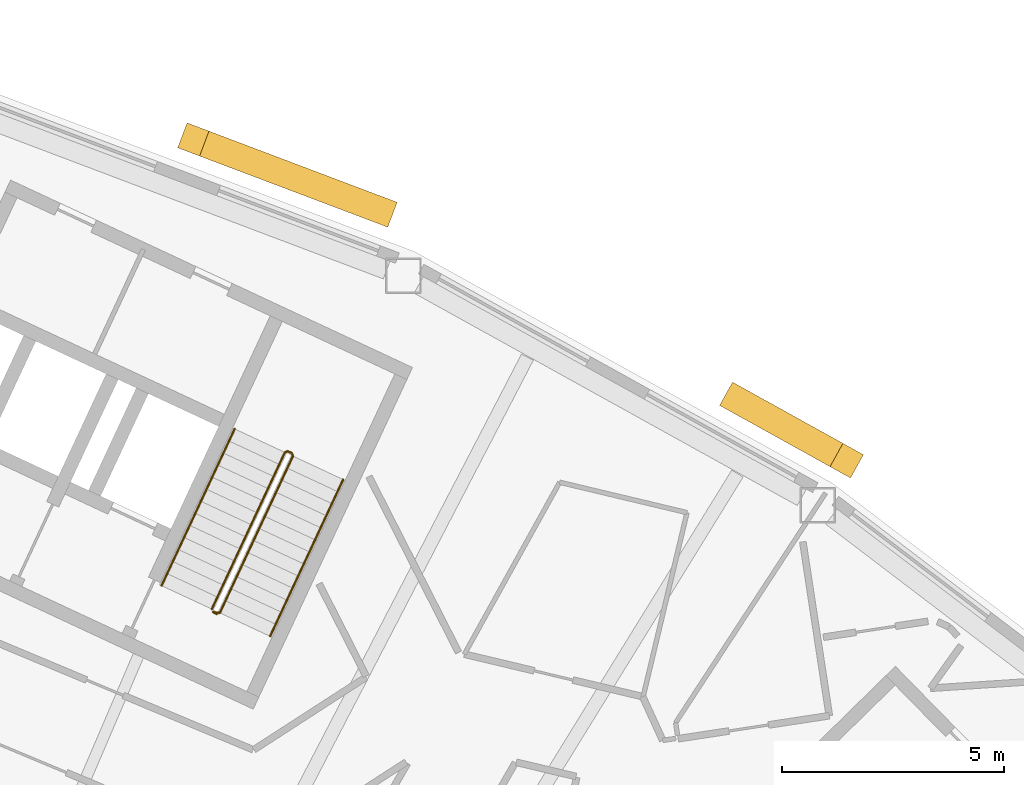
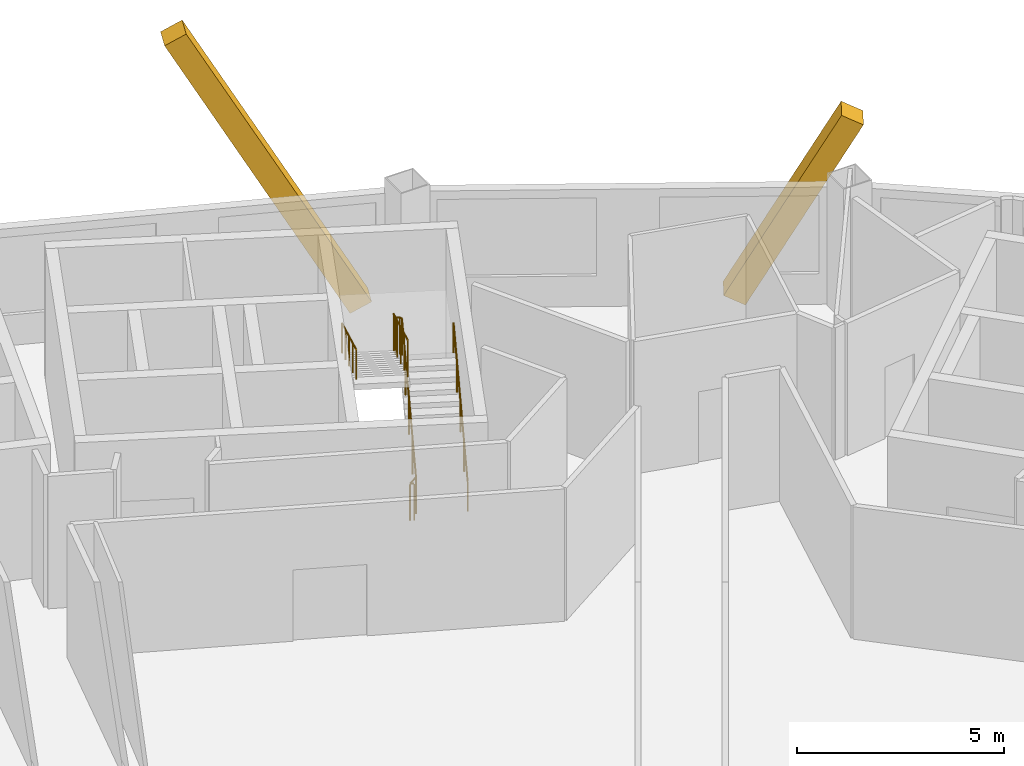
# One storey, part 13 of 13: 3 railings, 2 coverings.
"""IFC4 building model written with IfcOpenShell, lengths in metres."""

import ifcopenshell
import ifcopenshell.guid

model = None  # the IFC model being written
_history = None  # IfcOwnerHistory: only IFC2X3 demands one
_inside = {}  # id of a spatial element -> (the spatial element, [elements in it])
_under = {}  # id of a project, library or spatial element -> (it, [spatial elements below it])
_declared = {}  # id of a project -> (the project, [libraries it declares])
_typed = {}  # id of a type object -> (the type object, [elements of that type])
_made_of = {}  # id of a material, layer set ... -> (it, [elements and type objects made of it])


def new_model(schema):
    """Start an empty IFC model of exactly this schema.

    Asked for "IFC4X3", IfcOpenShell would pick the latest addendum, in which some entities
    have other attributes; the version numbers below select the first issue.
    IFC2X3 requires an IfcOwnerHistory on every rooted entity: one is made here for all.
    """
    global model, _history
    if schema == "IFC4X3":
        model = ifcopenshell.file(schema_version=(4, 3, 0, 0))
    else:
        model = ifcopenshell.file(schema=schema)
    _inside.clear()
    _under.clear()
    _declared.clear()
    _typed.clear()
    _made_of.clear()
    _history = None
    if model.schema == "IFC2X3":
        org = make("IfcOrganization", Name="unknown")
        user = make(
            "IfcPersonAndOrganization",
            ThePerson=make("IfcPerson", FamilyName="unknown"),
            TheOrganization=org,
        )
        app = make(
            "IfcApplication",
            ApplicationDeveloper=org,
            Version="unknown",
            ApplicationFullName="unknown",
            ApplicationIdentifier="unknown",
        )
        _history = make(
            "IfcOwnerHistory",
            OwningUser=user,
            OwningApplication=app,
            ChangeAction="ADDED",
            CreationDate=0,
        )
    return model


def make(cls, **values):
    """One entity of the class cls with the attributes given. An attribute that is None is left unset."""
    return model.create_entity(
        cls, **{name: value for name, value in values.items() if value is not None}
    )


def rooted(cls, **values):
    """An entity with a GlobalId (a new one), such as an element, a storey or a relation."""
    return make(cls, GlobalId=ifcopenshell.guid.new(), OwnerHistory=_history, **values)


def si_unit(unit_type, name, prefix=None):
    """IfcSIUnit, for example si_unit("LENGTHUNIT", "METRE", prefix="MILLI")."""
    return make("IfcSIUnit", UnitType=unit_type, Prefix=prefix, Name=name)


def assignment(units):
    """IfcUnitAssignment: the units of a project."""
    return None if units is None else make("IfcUnitAssignment", Units=units)


def point(xyz):
    """IfcCartesianPoint."""
    return None if xyz is None else make("IfcCartesianPoint", Coordinates=xyz)


def direction(xyz):
    """IfcDirection."""
    return None if xyz is None else make("IfcDirection", DirectionRatios=xyz)


def frame(location, z_axis=None, x_axis=None):
    """IfcAxis2Placement3D, a coordinate frame: its origin and axes. An axis left out is left unset."""
    return make(
        "IfcAxis2Placement3D",
        Location=point(location),
        Axis=direction(z_axis),
        RefDirection=direction(x_axis),
    )


def frame_2d(location, x_axis=None):
    """IfcAxis2Placement2D, a coordinate frame in the plane: its origin and x axis."""
    return make(
        "IfcAxis2Placement2D", Location=point(location), RefDirection=direction(x_axis)
    )


def origin():
    """The frame at (0, 0, 0) with its axes left unset."""
    return frame((0.0, 0.0, 0.0))


def origin_2d():
    """The frame at (0, 0) in the plane with its x axis left unset."""
    return frame_2d((0.0, 0.0))


def place(relative_to, where):
    """IfcLocalPlacement: puts the frame where relative to a parent placement (None: the world)."""
    return make(
        "IfcLocalPlacement", PlacementRelTo=relative_to, RelativePlacement=where
    )


def context(
    kind, dimensions, precision=None, world=None, true_north=None, identifier=None
):
    """IfcGeometricRepresentationContext, for example the 3D "Model" context."""
    return make(
        "IfcGeometricRepresentationContext",
        ContextIdentifier=identifier,
        ContextType=kind,
        CoordinateSpaceDimension=dimensions,
        Precision=precision,
        WorldCoordinateSystem=world,
        TrueNorth=true_north,
    )


def subcontext(parent, identifier, kind, view, scale=None):
    """IfcGeometricRepresentationSubContext, for example "Body" below "Model"."""
    return make(
        "IfcGeometricRepresentationSubContext",
        ContextIdentifier=identifier,
        ContextType=kind,
        ParentContext=parent,
        TargetScale=scale,
        TargetView=view,
    )


def project(units=None, contexts=None):
    """IfcProject with its units and contexts."""
    return rooted(
        "IfcProject",
        Name="project",
        RepresentationContexts=contexts,
        UnitsInContext=assignment(units),
    )


def spatial(cls, under=None, at=None, **own):
    """A site, building, storey or space (cls), placed at a placement, below another one or the project."""
    s = rooted(cls, ObjectPlacement=at, **own)
    if under is not None:
        _under.setdefault(under.id(), (under, []))[1].append(s)
    return s


def profile(cls, at=None, kind="AREA", **sizes):
    """A parametric profile (cls). Its sizes go by their IFC names, for example OverallWidth=200.0."""
    return make(cls, ProfileType=kind, Position=at, **sizes)


def rectangle(**sizes):
    """IfcRectangleProfileDef."""
    return profile("IfcRectangleProfileDef", **sizes)


def circle(**sizes):
    """IfcCircleProfileDef."""
    return profile("IfcCircleProfileDef", **sizes)


def extrude(swept, where, along, depth):
    """IfcExtrudedAreaSolid: the profile swept, set in the frame where, extruded along a direction by depth."""
    return make(
        "IfcExtrudedAreaSolid",
        SweptArea=swept,
        Position=where,
        ExtrudedDirection=direction(along),
        Depth=depth,
    )


def shape(context_of_items, identifier, shape_type, items):
    """IfcShapeRepresentation: the items that make up one representation, for example the "Body"."""
    return make(
        "IfcShapeRepresentation",
        ContextOfItems=context_of_items,
        RepresentationIdentifier=identifier,
        RepresentationType=shape_type,
        Items=items,
    )


def material(Name=None, Category=None):
    """IfcMaterial."""
    return make("IfcMaterial", Name=Name, Category=Category)


def material_profile(
    of_material, cross_section, Name=None, Category=None, Priority=None
):
    """IfcMaterialProfile: a cross section and its material."""
    return make(
        "IfcMaterialProfile",
        Name=Name,
        Material=of_material,
        Profile=cross_section,
        Priority=Priority,
        Category=Category,
    )


def profile_set(profiles, Name=None, composite=None):
    """IfcMaterialProfileSet."""
    return make(
        "IfcMaterialProfileSet",
        Name=Name,
        MaterialProfiles=profiles,
        CompositeProfile=composite,
    )


def made_of(thing, what):
    """Note that an element or type object is made of a material, layer set ...; save() writes the relation."""
    if what is not None:
        _made_of.setdefault(what.id(), (what, []))[1].append(thing)
    return thing


def type_object(cls, material=None, **own):
    """A type object (cls), such as IfcWallType, which elements share."""
    return made_of(rooted(cls, **own), material)


def element(
    cls,
    number,
    at=None,
    inside=None,
    cuts=None,
    type_object=None,
    material=None,
    context=None,
    identifier="Body",
    shape_type=None,
    held_by="IfcProductDefinitionShape",
    body=None,
    shapes=None,
    **own,
):
    """One element of the class cls, such as IfcWall. Its Tag is "e" and its number.

    at: its placement. inside: the storey or other place that contains it. cuts: it is an
    opening in that element (IfcRelVoidsElement). A single representation is given by context,
    identifier, shape_type and body (its items); several are given by shapes. held_by: the class
    of the entity that holds the representations. save() writes the other relations.
    """
    e = rooted(cls, Tag="e%d" % number, ObjectPlacement=at, **own)
    if body is not None:
        shapes = [shape(context, identifier, shape_type, body)]
    if shapes is not None:
        e.Representation = make(held_by, Representations=shapes)
    if inside is not None:
        _inside.setdefault(inside.id(), (inside, []))[1].append(e)
    if cuts is not None:
        rooted(
            "IfcRelVoidsElement", RelatingBuildingElement=cuts, RelatedOpeningElement=e
        )
    if type_object is not None:
        _typed.setdefault(type_object.id(), (type_object, []))[1].append(e)
    return made_of(e, material)


def aggregate(whole, parts):
    """IfcRelAggregates: a whole, such as a stair, and the parts it consists of."""
    return rooted("IfcRelAggregates", RelatingObject=whole, RelatedObjects=parts)


def save(model, path):
    """Write the relations noted so far, then the file.

    IfcRelAggregates (storeys below a building ...), IfcRelContainedInSpatialStructure (elements
    in a storey), IfcRelDefinesByType, IfcRelAssociatesMaterial and IfcRelDeclares: one each for
    every whole, place, type object, material and project.
    """
    for whole, parts in _under.values():
        aggregate(whole, parts)
    for where, things in _inside.values():
        rooted(
            "IfcRelContainedInSpatialStructure",
            RelatedElements=things,
            RelatingStructure=where,
        )
    for kind, things in _typed.values():
        rooted("IfcRelDefinesByType", RelatedObjects=things, RelatingType=kind)
    for what, things in _made_of.values():
        rooted("IfcRelAssociatesMaterial", RelatedObjects=things, RelatingMaterial=what)
    for by, libraries in _declared.values():
        rooted("IfcRelDeclares", RelatingContext=by, RelatedDefinitions=libraries)
    model.write(path)


model = new_model("IFC4")

# Units and contexts
model_context = context("Model", 3, precision=1e-05, world=origin(), true_north=direction((0.0, 1.0)))
body_context = subcontext(model_context, "Body", "Model", "MODEL_VIEW")
ifc_project = project(units=[si_unit("LENGTHUNIT", "METRE"), si_unit("AREAUNIT", "SQUARE_METRE"), si_unit("VOLUMEUNIT", "CUBIC_METRE"), si_unit("PLANEANGLEUNIT", "RADIAN"), si_unit("MASSUNIT", "GRAM", prefix="KILO")], contexts=[model_context])

# Site, building, storey
site_placement = place(None, origin())
site = spatial("IfcSite", under=ifc_project, at=site_placement, CompositionType="ELEMENT")
building_placement = place(site_placement, origin())
building = spatial("IfcBuilding", under=site, at=building_placement, Name="Tuul Gate Civic Tower", CompositionType="ELEMENT")
storey_placement = place(building_placement, frame((0.0, 0.0, 302.60009765625)))
storey = spatial("IfcBuildingStorey", under=building, at=storey_placement, Name="Level 68", CompositionType="ELEMENT", Elevation=302.60009765625)

# Railings
ifc_material_1 = material(Name="Painted steel", Category="steel")
railing_type_1 = type_object("IfcRailingType", Name="Stair guard", PredefinedType="GUARDRAIL", material=ifc_material_1)
railing_1_placement = place(storey_placement, frame((33.645751953125, -5.238525390625, 0.0)))
element("IfcRailing", 1, at=railing_1_placement, inside=storey, type_object=railing_type_1, Name="Level 68 ST-4 stair guard 1", PredefinedType="GUARDRAIL", context=body_context, shape_type="SweptSolid", body=[
    extrude(circle(Radius=0.02392578125, at=origin_2d()), frame((0.0, 0.0, 1.076171875), z_axis=(-0.906307919131, 0.422617978463, 0.0), x_axis=(-0.422617978463, -0.906307919131, 0.0)), (0.0, 0.0, 1.0), 0.099853515625),
    extrude(circle(Radius=0.02392578125, at=origin_2d()), frame((-0.090576171875, 0.042236328125, 1.076171875), z_axis=(0.720735628292, -0.082946246491, 0.688229666829), x_axis=(0.114330889033, 0.993442724979, 0.0)), (0.0, 0.0, 1.0), 0.2177734375),
    extrude(circle(Radius=0.02392578125, at=origin_2d()), frame((0.06640625, 0.024169921875, 1.22607421875), z_axis=(0.377946903738, 0.810654114417, 0.447209173356), x_axis=(-0.906336612539, 0.422556439746, 0.0)), (0.0, 0.0, 1.0), 4.3603515625),
    extrude(circle(Radius=0.02392578125, at=origin_2d()), frame((1.71435546875, 3.558837890625, 3.17578125), z_axis=(-0.342020437038, 0.939692513883, 0.0), x_axis=(-0.939692513883, -0.342020437038, 0.0)), (0.0, 0.0, 1.0), 0.070556640625),
    extrude(circle(Radius=0.02392578125, at=origin_2d()), frame((1.690185546875, 3.625244140625, 3.17578125), z_axis=(-0.906307919131, 0.422617978463, 0.0), x_axis=(-0.422617978463, -0.906307919131, 0.0)), (0.0, 0.0, 1.0), 0.099853515625),
    extrude(circle(Radius=0.02392578125, at=origin_2d()), frame((1.599609375, 3.66748046875, 3.17578125), z_axis=(-0.400168791901, -0.145649670582, 0.904793408159), x_axis=(0.342020437038, -0.939692513883, 0.0)), (0.0, 0.0, 1.0), 0.166015625),
    extrude(circle(Radius=0.02392578125, at=origin_2d()), frame((1.533203125, 3.643310546875, 3.326171875), z_axis=(-0.377946903738, -0.810654114417, 0.447209173356), x_axis=(0.906336612539, -0.422556439746, 0.0)), (0.0, 0.0, 1.0), 4.3603515625),
    extrude(circle(Radius=0.02099609375, at=origin_2d()), origin(), (0.0, 0.0, 1.0), 1.052001953125),
    extrude(circle(Radius=0.02099609375, at=origin_2d()), frame((-0.090576171875, 0.042236328125, 0.0)), (0.0, 0.0, 1.0), 1.052001953125),
    extrude(circle(Radius=0.02099609375, at=origin_2d()), frame((0.06640625, 0.024169921875, 0.14990234375)), (0.0, 0.0, 1.0), 1.052001953125),
    extrude(circle(Radius=0.02099609375, at=origin_2d()), frame((0.478515625, 0.90771484375, 0.637451171875)), (0.0, 0.0, 1.0), 1.052001953125),
    extrude(circle(Radius=0.02099609375, at=origin_2d()), frame((0.890380859375, 1.79150390625, 1.125)), (0.0, 0.0, 1.0), 1.052001953125),
    extrude(circle(Radius=0.02099609375, at=origin_2d()), frame((1.30224609375, 2.67529296875, 1.6123046875)), (0.0, 0.0, 1.0), 1.052001953125),
    extrude(circle(Radius=0.02099609375, at=origin_2d()), frame((1.71435546875, 3.558837890625, 2.099853515625)), (0.0, 0.0, 1.0), 1.052001953125),
    extrude(circle(Radius=0.02099609375, at=origin_2d()), frame((1.690185546875, 3.625244140625, 2.099853515625)), (0.0, 0.0, 1.0), 1.052001953125),
    extrude(circle(Radius=0.02099609375, at=origin_2d()), frame((1.599609375, 3.66748046875, 2.099853515625)), (0.0, 0.0, 1.0), 1.052001953125),
    extrude(circle(Radius=0.02099609375, at=origin_2d()), frame((1.533203125, 3.643310546875, 2.25)), (0.0, 0.0, 1.0), 1.052001953125),
    extrude(circle(Radius=0.02099609375, at=origin_2d()), frame((1.12109375, 2.759765625, 2.737548828125)), (0.0, 0.0, 1.0), 1.052001953125),
    extrude(circle(Radius=0.02099609375, at=origin_2d()), frame((0.709228515625, 1.8759765625, 3.22509765625)), (0.0, 0.0, 1.0), 1.052001953125),
    extrude(circle(Radius=0.02099609375, at=origin_2d()), frame((0.29736328125, 0.9921875, 3.71240234375)), (0.0, 0.0, 1.0), 1.052001953125),
    extrude(circle(Radius=0.02099609375, at=origin_2d()), frame((-0.11474609375, 0.108642578125, 4.199951171875)), (0.0, 0.0, 1.0), 1.052001953125),
])
ifc_material_2 = material(Name="Painted steel", Category="steel")
railing_type_2 = type_object("IfcRailingType", Name="Stair handrail", PredefinedType="HANDRAIL", material=ifc_material_2)
railing_2_placement = place(storey_placement, frame((34.844970703125, -5.74267578125, 0.14990234375)))
element("IfcRailing", 2, at=railing_2_placement, inside=storey, type_object=railing_type_2, Name="Level 68 ST-4 stair handrail 1", PredefinedType="HANDRAIL", context=body_context, shape_type="SweptSolid", body=[
    extrude(circle(Radius=0.02392578125, at=origin_2d()), frame((0.0, 0.0, 0.8759765625), z_axis=(0.377994896215, 0.810636958585, 0.447199709091), x_axis=(-0.906312636903, 0.422607861012, 0.0)), (0.0, 0.0, 1.0), 4.3603515625),
    extrude(circle(Radius=0.02099609375, at=origin_2d()), origin(), (0.0, 0.0, 1.0), 0.851806640625),
    extrude(circle(Radius=0.02099609375, at=origin_2d()), frame((0.412109375, 0.8837890625, 0.487548828125)), (0.0, 0.0, 1.0), 0.851806640625),
    extrude(circle(Radius=0.02099609375, at=origin_2d()), frame((0.82421875, 1.767333984375, 0.97509765625)), (0.0, 0.0, 1.0), 0.851806640625),
    extrude(circle(Radius=0.02099609375, at=origin_2d()), frame((1.236083984375, 2.65087890625, 1.46240234375)), (0.0, 0.0, 1.0), 0.851806640625),
    extrude(circle(Radius=0.02099609375, at=origin_2d()), frame((1.648193359375, 3.53466796875, 1.949951171875)), (0.0, 0.0, 1.0), 0.851806640625),
])
railing_3_placement = place(storey_placement, frame((34.046142578125, -1.06689453125, 2.25)))
element("IfcRailing", 3, at=railing_3_placement, inside=storey, type_object=railing_type_2, Name="Level 68 ST-4 stair handrail 2", PredefinedType="HANDRAIL", context=body_context, shape_type="SweptSolid", body=[
    extrude(circle(Radius=0.02392578125, at=origin_2d()), frame((0.0, 0.0, 0.8759765625), z_axis=(-0.377994896215, -0.810636958585, 0.447199709091), x_axis=(0.906312636903, -0.422607861012, 0.0)), (0.0, 0.0, 1.0), 4.3603515625),
    extrude(circle(Radius=0.02099609375, at=origin_2d()), origin(), (0.0, 0.0, 1.0), 0.851806640625),
    extrude(circle(Radius=0.02099609375, at=origin_2d()), frame((-0.412109375, -0.8837890625, 0.487548828125)), (0.0, 0.0, 1.0), 0.851806640625),
    extrude(circle(Radius=0.02099609375, at=origin_2d()), frame((-0.82421875, -1.767333984375, 0.97509765625)), (0.0, 0.0, 1.0), 0.851806640625),
    extrude(circle(Radius=0.02099609375, at=origin_2d()), frame((-1.236083984375, -2.65087890625, 1.46240234375)), (0.0, 0.0, 1.0), 0.851806640625),
    extrude(circle(Radius=0.02099609375, at=origin_2d()), frame((-1.648193359375, -3.53466796875, 1.949951171875)), (0.0, 0.0, 1.0), 0.851806640625),
])

# Coverings
ifc_material_3 = material(Name="Terracotta baguette", Category="masonry")
ifc_material_profile = material_profile(ifc_material_3, rectangle(XDim=0.60009765625, YDim=0.60009765625, at=origin_2d()), Name="Terracotta baguette screen frame")
ifc_profile_set = profile_set([ifc_material_profile], Name="Terracotta baguette")
covering_type = type_object("IfcCoveringType", Name="Terracotta baguette screen frame", PredefinedType="CLADDING", material=ifc_profile_set)
covering_1_placement = place(storey_placement, frame((47.84814453125, -1.783447265625, 4.92333984375), z_axis=(-0.415584684816, 0.230400605501, -0.879889158207), x_axis=(-0.484871200152, -0.874585570006, 0.0)))
element("IfcCovering", 4, at=covering_1_placement, inside=storey, type_object=covering_type, Name="Baguette 42", PredefinedType="CLADDING", context=body_context, shape_type="SweptSolid", body=[
    extrude(rectangle(XDim=0.60009765625, YDim=0.60009765625, at=origin_2d()), origin(), (0.0, 0.0, 1.0), 5.993408203125),
])
covering_2_placement = place(storey_placement, frame((33.114501953125, 5.460205078125, 8.0498046875), z_axis=(0.444469529383, -0.168069835852, -0.879885997006), x_axis=(0.353693598078, 0.935361341236, 0.0)))
element("IfcCovering", 5, at=covering_2_placement, inside=storey, type_object=covering_type, Name="Baguette 56", PredefinedType="CLADDING", context=body_context, shape_type="SweptSolid", body=[
    extrude(rectangle(XDim=0.60009765625, YDim=0.60009765625, at=origin_2d()), origin(), (0.0, 0.0, 1.0), 9.546630859375),
])

save(model, "model.ifc")
